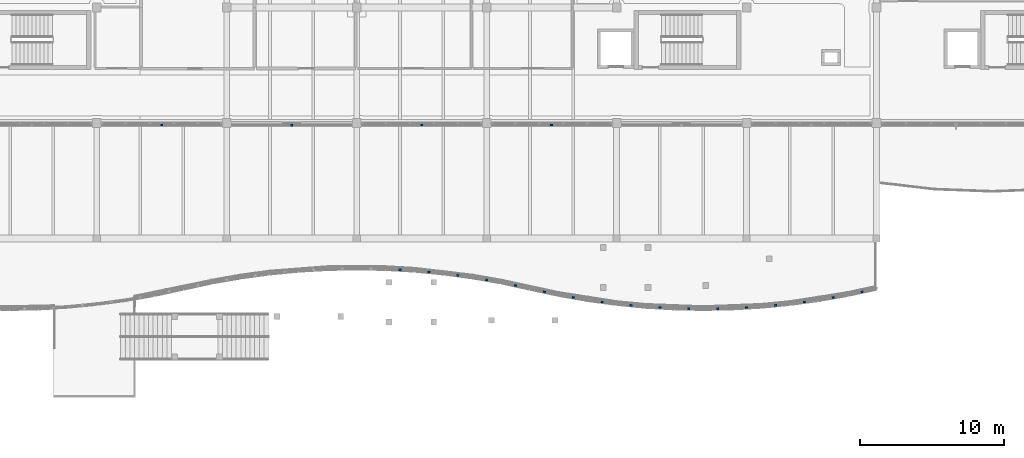
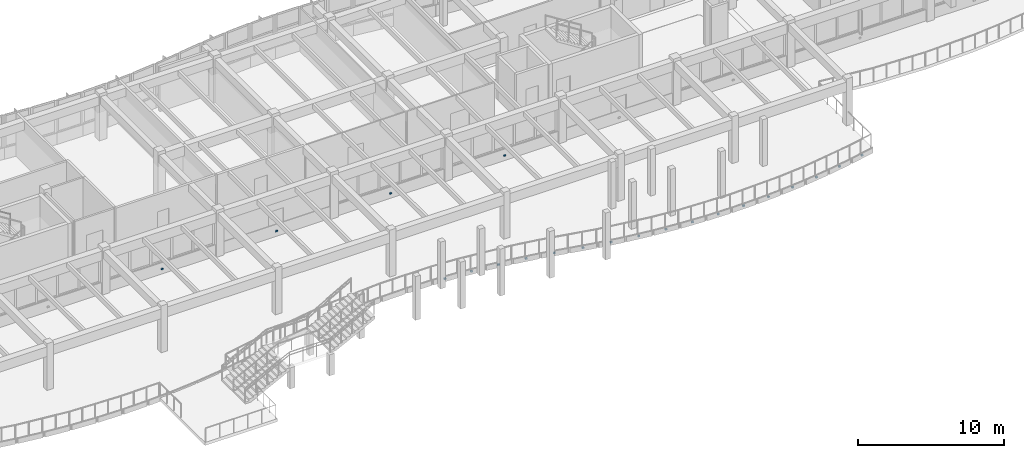
# One storey, part 71 of 89: 21 discrete accessories.
"""IFC4 building model written with IfcOpenShell, lengths in metres."""

from ifc_helpers import new_model, si_unit, direction, frame, origin, origin_2d, place, context, subcontext, project, spatial, rectangle, extrude, material, type_object, element, save


model = new_model("IFC4")

# Units and contexts
model_context = context("Model", 3, precision=1e-05, world=origin(), true_north=direction((0.0, 1.0)))
body_context = subcontext(model_context, "Body", "Model", "MODEL_VIEW")
ifc_project = project(units=[si_unit("LENGTHUNIT", "METRE"), si_unit("AREAUNIT", "SQUARE_METRE"), si_unit("VOLUMEUNIT", "CUBIC_METRE"), si_unit("PLANEANGLEUNIT", "RADIAN"), si_unit("MASSUNIT", "GRAM", prefix="KILO")], contexts=[model_context])

# Site, building, storey
site_placement = place(None, origin())
site = spatial("IfcSite", under=ifc_project, at=site_placement, CompositionType="ELEMENT")
building_placement = place(site_placement, origin())
building = spatial("IfcBuilding", under=site, at=building_placement, Name="Tonlespit Floodbar School", CompositionType="ELEMENT")
storey_placement = place(building_placement, frame((0.0, 0.0, 4.5)))
storey = spatial("IfcBuildingStorey", under=building, at=storey_placement, Name="L01", CompositionType="ELEMENT", Elevation=4.5)

# Discrete accessories
ifc_material = material(Name="Galvanised Steel", Category="steel")
discrete_accessory_type = type_object("IfcDiscreteAccessoryType", Name="Bracket_Facade_S355", PredefinedType="BRACKET", material=ifc_material)
for number, where, z_axis, x_axis, name in (
    (1, (93.5, 103.8701171875, 0.35498046875), (0.0, 0.0, 1.0), (-1.0, 0.0, 0.0), "L01 white band support bracket 0086"),
    (2, (84.5, 103.8701171875, 0.35498046875), (0.0, 0.0, 1.0), (-1.0, 0.0, 0.0), "L01 white band support bracket 0087"),
    (3, (75.5, 103.85009765625, 0.3798828125), (0.0, 0.0, 1.0), (-1.0, 0.0, 0.0), "L01 white band support bracket 0088"),
    (4, (66.5, 103.8701171875, 0.35498046875), (0.0, 0.0, 1.0), (-1.0, 0.0, 0.0), "L01 white band support bracket 0089"),
    (5, (83.0, 93.83740234375, -0.150146484375), (0.0, 0.0, 1.0), (0.998333769428, -0.057703421212, 0.0), "L01 white band support bracket 0114"),
    (6, (85.0, 93.682861328125, -0.150146484375), (0.0, 0.0, 1.0), (0.995361841764, -0.096201891669, 0.0), "L01 white band support bracket 0115"),
    (7, (87.0, 93.450439453125, -0.150146484375), (0.0, 0.0, 1.0), (0.990898113281, -0.13461400037, 0.0), "L01 white band support bracket 0116"),
    (8, (89.0, 93.138916015625, -0.150146484375), (0.0, 0.0, 1.0), (0.984904884962, -0.17309641122, 0.0), "L01 white band support bracket 0117"),
    (9, (91.0, 92.74658203125, -0.150146484375), (0.0, 0.0, 1.0), (0.977356843161, -0.21159773422, 0.0), "L01 white band support bracket 0118"),
    (10, (93.0, 92.3134765625, -0.150146484375), (0.0, 0.0, 1.0), (0.977356843161, -0.21159773422, 0.0), "L01 white band support bracket 0119"),
    (11, (95.0, 91.92138671875, -0.150146484375), (0.0, 0.0, 1.0), (0.984904884962, -0.17309641122, 0.0), "L01 white band support bracket 0120"),
    (12, (97.0, 91.609619140625, -0.150146484375), (0.0, 0.0, 1.0), (0.990898113281, -0.13461400037, 0.0), "L01 white band support bracket 0121"),
    (13, (99.0, 91.377197265625, -0.150146484375), (0.0, 0.0, 1.0), (0.995361841764, -0.096201891669, 0.0), "L01 white band support bracket 0122"),
    (14, (101.0, 91.22265625, -0.150146484375), (0.0, 0.0, 1.0), (0.998333769428, -0.057703421212, 0.0), "L01 white band support bracket 0123"),
    (15, (103.0, 91.145751953125, -0.150146484375), (0.0, 0.0, 1.0), (0.999814772764, -0.01924630259, 0.0), "L01 white band support bracket 0124"),
    (16, (105.0, 91.145751953125, -0.150146484375), (0.0, 0.0, 1.0), (0.999814772764, 0.01924630259, 0.0), "L01 white band support bracket 0125"),
    (17, (107.0, 91.22265625, -0.150146484375), (0.0, 0.0, 1.0), (0.998333769428, 0.057703421212, 0.0), "L01 white band support bracket 0126"),
    (18, (109.0, 91.377197265625, -0.150146484375), (0.0, 0.0, 1.0), (0.995361841764, 0.096201891669, 0.0), "L01 white band support bracket 0127"),
    (19, (111.0, 91.609619140625, -0.150146484375), (0.0, 0.0, 1.0), (0.990898113281, 0.13461400037, 0.0), "L01 white band support bracket 0128"),
    (20, (113.0, 91.92138671875, -0.150146484375), (0.0, 0.0, 1.0), (0.984904884962, 0.17309641122, 0.0), "L01 white band support bracket 0129"),
    (21, (115.0, 92.3134765625, -0.150146484375), (0.0, 0.0, 1.0), (0.977356843161, 0.21159773422, 0.0), "L01 white band support bracket 0130"),
):
    element("IfcDiscreteAccessory", number, at=place(storey_placement, frame(where, z_axis=z_axis, x_axis=x_axis)), inside=storey, type_object=discrete_accessory_type, Name=name, PredefinedType="BRACKET", context=body_context, shape_type="SweptSolid", body=[
        extrude(rectangle(XDim=0.159912109375, YDim=0.1201171875, at=origin_2d()), origin(), (0.0, 0.0, 1.0), 0.1201171875),
    ])

save(model, "model.ifc")
